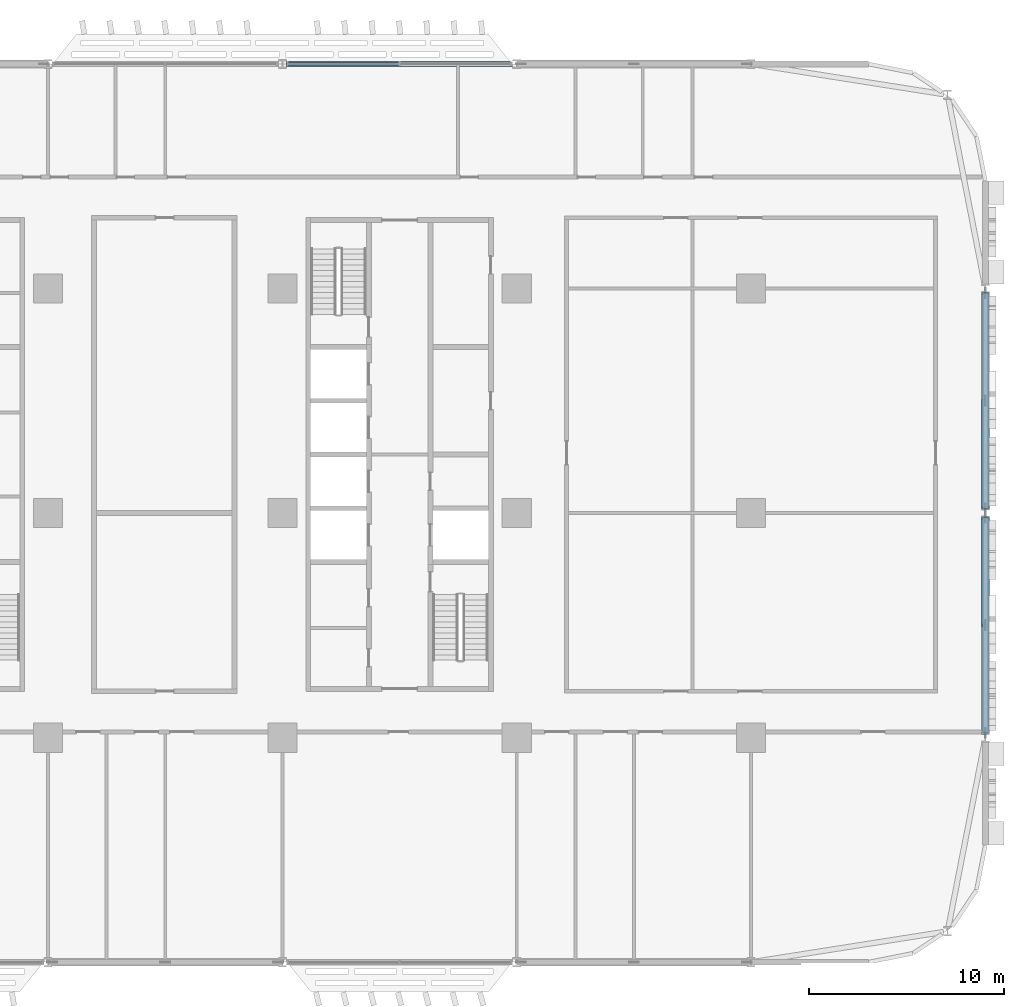
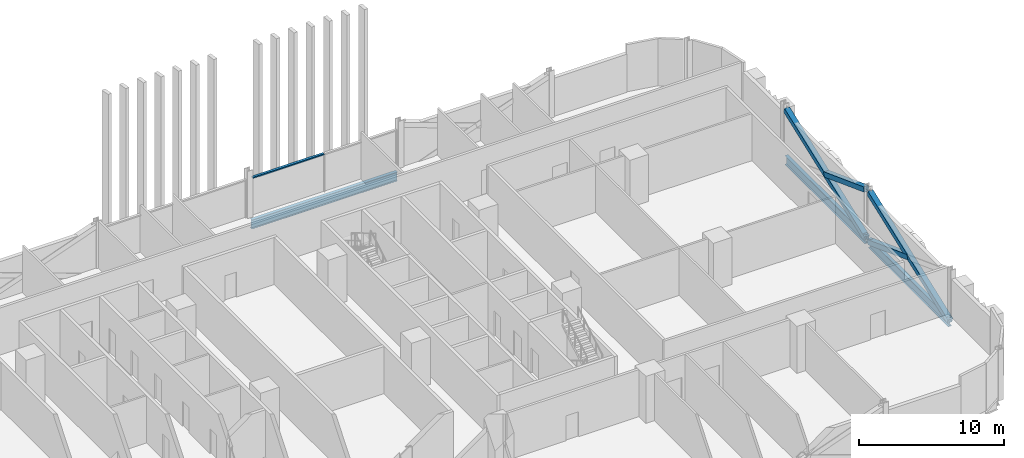
# One storey, part 9 of 29: 5 members, 3 beams, 1 element without a shape of its own.
"""IFC4 building model written with IfcOpenShell, lengths in metres."""

from ifc_helpers import new_model, si_unit, direction, frame, origin, origin_2d, place, context, subcontext, project, spatial, rectangle, hollow_rectangle, i_section, extrude, material, material_profile, profile_set, type_object, element, aggregate, save


model = new_model("IFC4")

# Units and contexts
model_context = context("Model", 3, precision=1e-05, world=origin(), true_north=direction((0.0, 1.0)))
body_context = subcontext(model_context, "Body", "Model", "MODEL_VIEW")
ifc_project = project(units=[si_unit("LENGTHUNIT", "METRE"), si_unit("AREAUNIT", "SQUARE_METRE"), si_unit("VOLUMEUNIT", "CUBIC_METRE"), si_unit("PLANEANGLEUNIT", "RADIAN"), si_unit("MASSUNIT", "GRAM", prefix="KILO")], contexts=[model_context])

# Site, building, storey
site_placement = place(None, origin())
site = spatial("IfcSite", under=ifc_project, at=site_placement, CompositionType="ELEMENT")
building_placement = place(site_placement, origin())
building = spatial("IfcBuilding", under=site, at=building_placement, Name="Mahtab Terrace Research Tower", CompositionType="ELEMENT")
storey_placement = place(building_placement, frame((0.0, 0.0, 63.199951171875)))
storey = spatial("IfcBuildingStorey", under=building, at=storey_placement, Name="L14", CompositionType="ELEMENT", Elevation=63.199951171875)

# Members
ifc_material_1 = material(Name="Steel ASTM A500 Gr C", Category="steel")
ifc_material_profile_1 = material_profile(ifc_material_1, hollow_rectangle(XDim=0.406494140625, YDim=0.406494140625, WallThickness=0.01904296875, at=origin_2d()), Name="HSS16X16X3/4")
ifc_profile_set_1 = profile_set([ifc_material_profile_1], Name="Steel ASTM A500 Gr C")
member_type_1 = type_object("IfcMemberType", Name="HSS 16x16x3/4 brace XB161634", PredefinedType="BRACE", material=ifc_profile_set_1)
member_1_placement = place(storey_placement, frame((54.0, -11.262451171875, -0.629638671875), z_axis=(0.0, 0.936664598222, 0.35022768371), x_axis=(-1.0, 0.0, 0.0)))
element("IfcMember", 1, at=member_1_placement, inside=storey, type_object=member_type_1, Name="Exoskeleton brace L14 22 a", PredefinedType="BRACE", context=body_context, shape_type="SweptSolid", body=[
    extrude(hollow_rectangle(XDim=0.406494140625, YDim=0.406494140625, WallThickness=0.01904296875, at=origin_2d()), origin(), (0.0, 0.0, 1.0), 11.770263671875),
])
member_2_placement = place(storey_placement, frame((54.0, -0.237548828125, -0.629638671875), z_axis=(0.0, -0.936657793787, 0.350245881259), x_axis=(1.0, 0.0, 0.0)))
element("IfcMember", 2, at=member_2_placement, inside=storey, type_object=member_type_1, Name="Exoskeleton brace L14 22 b1", PredefinedType="BRACE", context=body_context, shape_type="SweptSolid", body=[
    extrude(hollow_rectangle(XDim=0.406494140625, YDim=0.406494140625, WallThickness=0.01904296875, at=origin_2d()), origin(), (0.0, 0.0, 1.0), 5.88525390625),
])
member_3_placement = place(storey_placement, frame((54.0, 0.237548828125, -0.629638671875), z_axis=(0.0, 0.936664598222, 0.35022768371), x_axis=(-1.0, 0.0, 0.0)))
element("IfcMember", 3, at=member_3_placement, inside=storey, type_object=member_type_1, Name="Exoskeleton brace L14 23 a", PredefinedType="BRACE", context=body_context, shape_type="SweptSolid", body=[
    extrude(hollow_rectangle(XDim=0.406494140625, YDim=0.406494140625, WallThickness=0.01904296875, at=origin_2d()), origin(), (0.0, 0.0, 1.0), 11.770263671875),
])
member_4_placement = place(storey_placement, frame((54.0, 5.75, 1.431640625), z_axis=(0.0, -0.936671402403, 0.350209485765), x_axis=(1.0, 0.0, 0.0)))
element("IfcMember", 4, at=member_4_placement, inside=storey, type_object=member_type_1, Name="Exoskeleton brace L14 23 b2", PredefinedType="BRACE", context=body_context, shape_type="SweptSolid", body=[
    extrude(hollow_rectangle(XDim=0.406494140625, YDim=0.406494140625, WallThickness=0.01904296875, at=origin_2d()), origin(), (0.0, 0.0, 1.0), 5.88525390625),
])

# Curtain wall, member
ifc_material_2 = material(Name="Laboratory ribbon curtain wall")
curtain_wall_type = type_object("IfcCurtainWallType", Name="Laboratory ribbon curtain wall", PredefinedType="NOTDEFINED", material=ifc_material_2)
curtain_wall_placement = place(storey_placement, origin())
curtain_wall = element("IfcCurtainWall", 5, at=curtain_wall_placement, inside=storey, type_object=curtain_wall_type, Name="EN.L14.3.5", PredefinedType="NOTDEFINED")
ifc_material_3 = material(Name="Natural anodised aluminium", Category="aluminium")
ifc_material_profile_2 = material_profile(ifc_material_3, rectangle(XDim=0.199951171875, YDim=0.10009765625, at=origin_2d()), Name="TRANSOM 100x200")
ifc_profile_set_2 = profile_set([ifc_material_profile_2], Name="Natural anodised aluminium")
member_type_2 = type_object("IfcMemberType", Name="Laboratory ribbon curtain wall transom", PredefinedType="USERDEFINED", material=ifc_profile_set_2)
member_5_placement = place(storey_placement, frame((23.967529296875, 23.0, 3.153076171875), z_axis=(-1.0, 0.0, 0.0), x_axis=(0.0, -1.0, 0.0)))
member_5 = element("IfcMember", 6, at=member_5_placement, type_object=member_type_2, Name="CWL-2 transom 2", ObjectType="TRANSOM", PredefinedType="USERDEFINED", context=body_context, shape_type="SweptSolid", body=[
    extrude(rectangle(XDim=0.199951171875, YDim=0.10009765625, at=origin_2d()), origin(), (0.0, 0.0, 1.0), 5.66455078125),
])
aggregate(curtain_wall, [member_5])

# Beams
ifc_material_4 = material(Name="Steel ASTM A992 Gr 50", Category="steel")
ifc_material_profile_3 = material_profile(ifc_material_4, i_section(OverallWidth=0.2666015625, OverallDepth=0.7568359375, WebThickness=0.013916015625, FlangeThickness=0.019287109375, at=origin_2d()), Name="W30X108")
ifc_profile_set_3 = profile_set([ifc_material_profile_3], Name="Steel ASTM A992 Gr 50")
beam_type = type_object("IfcBeamType", Name="W30x108 beam BS30108", PredefinedType="BEAM", material=ifc_profile_set_3)
beam_placement = place(storey_placement, frame((29.787841796875, 23.0, -0.718505859375), z_axis=(-1.0, 0.0, 0.0), x_axis=(0.0, -1.0, 0.0)))
element("IfcBeam", 7, at=beam_placement, inside=storey, type_object=beam_type, Name="Spandrel beam L14 03", PredefinedType="BEAM", context=body_context, shape_type="SweptSolid", body=[
    extrude(i_section(OverallWidth=0.2666015625, OverallDepth=0.7568359375, WebThickness=0.013916015625, FlangeThickness=0.019287109375, at=origin_2d()), origin(), (0.0, 0.0, 1.0), 11.57568359375),
])
for number, where, z_axis, x_axis, name in (
    (8, (54.0, -11.262451171875, -0.718505859375), (0.0, 1.0, 0.0), (-1.0, 0.0, 0.0), "Spandrel beam L14 22"),
    (9, (54.0, 0.237548828125, -0.718505859375), (0.0, 1.0, 0.0), (-1.0, 0.0, 0.0), "Spandrel beam L14 23"),
):
    element("IfcBeam", number, at=place(storey_placement, frame(where, z_axis=z_axis, x_axis=x_axis)), inside=storey, type_object=beam_type, Name=name, PredefinedType="BEAM", context=body_context, shape_type="SweptSolid", body=[
        extrude(i_section(OverallWidth=0.2666015625, OverallDepth=0.7568359375, WebThickness=0.013916015625, FlangeThickness=0.019287109375, at=origin_2d()), origin(), (0.0, 0.0, 1.0), 11.02490234375),
    ])

save(model, "model.ifc")
